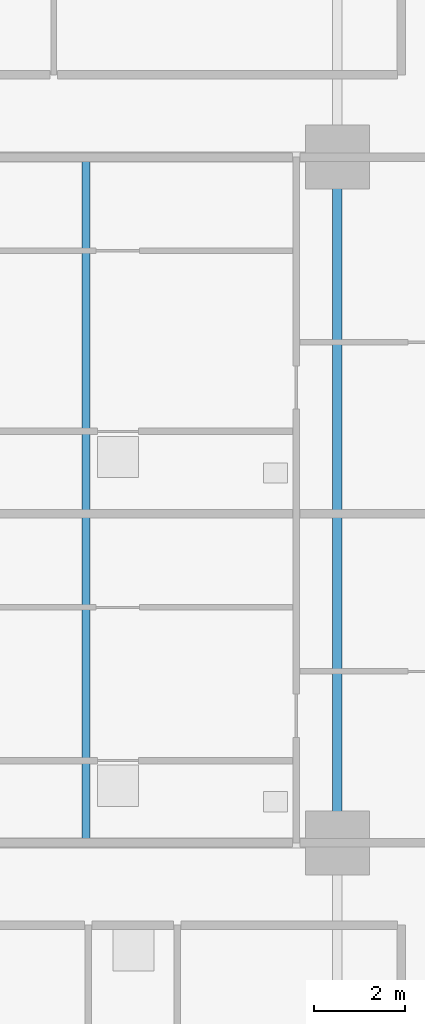
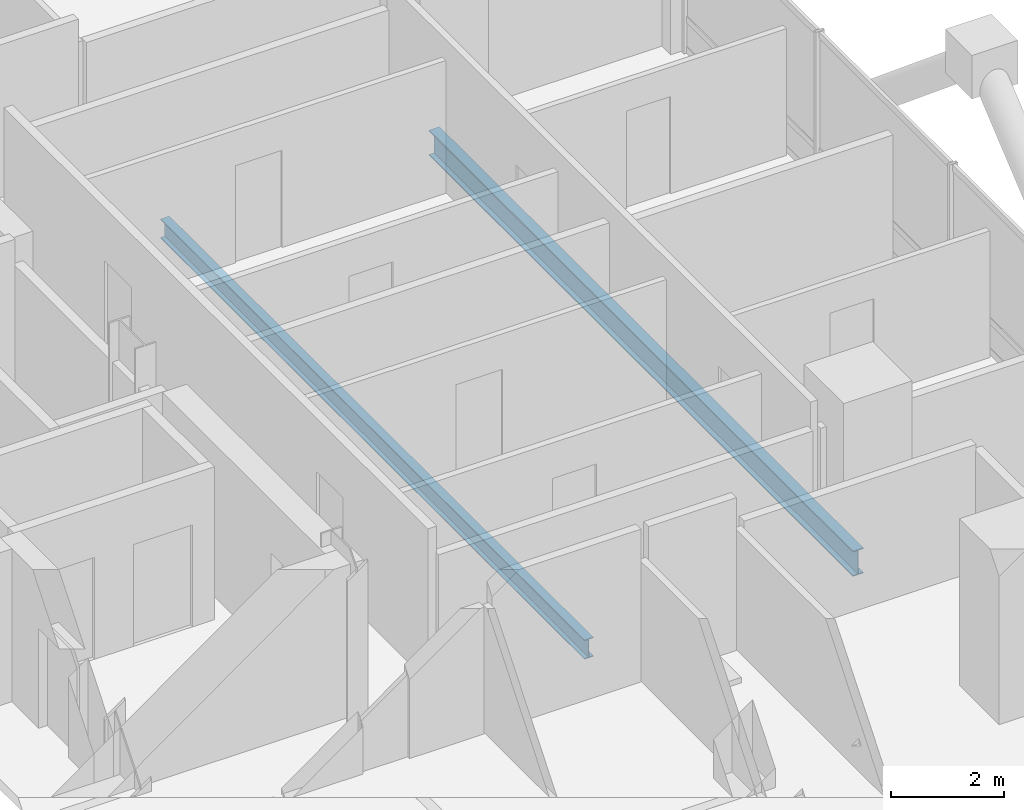
# One storey, part 9 of 24: 2 beams.
"""IFC4 building model written with IfcOpenShell, lengths in metres."""

from ifc_helpers import new_model, si_unit, direction, frame, origin, origin_2d, place, context, subcontext, project, spatial, i_section, extrude, material, material_profile, profile_set, type_object, element, save


model = new_model("IFC4")

# Units and contexts
model_context = context("Model", 3, precision=1e-05, world=origin(), true_north=direction((0.0, 1.0)))
body_context = subcontext(model_context, "Body", "Model", "MODEL_VIEW")
ifc_project = project(units=[si_unit("LENGTHUNIT", "METRE"), si_unit("AREAUNIT", "SQUARE_METRE"), si_unit("VOLUMEUNIT", "CUBIC_METRE"), si_unit("PLANEANGLEUNIT", "RADIAN"), si_unit("MASSUNIT", "GRAM", prefix="KILO")], contexts=[model_context])

# Site, building, storey
site_placement = place(None, origin())
site = spatial("IfcSite", under=ifc_project, at=site_placement, CompositionType="ELEMENT")
building_placement = place(site_placement, origin())
building = spatial("IfcBuilding", under=site, at=building_placement, Name="Barlavira Tower and Art Museum", CompositionType="ELEMENT")
storey_placement = place(building_placement, frame((0.0, 0.0, 90.0)))
storey = spatial("IfcBuildingStorey", under=building, at=storey_placement, Name="L22", CompositionType="ELEMENT", Elevation=90.0)

# Beams
ifc_material = material(Name="Steel S355", Category="steel")
ifc_material_profile_1 = material_profile(ifc_material, i_section(OverallWidth=0.180908203125, OverallDepth=0.4169921875, WebThickness=0.010986328125, FlangeThickness=0.018310546875, at=origin_2d()), Name="W410x85.0")
ifc_profile_set_1 = profile_set([ifc_material_profile_1], Name="Steel S355")
beam_type_1 = type_object("IfcBeamType", Name="Zone 1 Composite Floor Joist W410x85 Steel S355", PredefinedType="JOIST", material=ifc_profile_set_1)
beam_1_placement = place(storey_placement, frame((11.5, -7.5, -0.428466796875), z_axis=(0.0, 1.0, 0.0), x_axis=(-1.0, 0.0, 0.0)))
element("IfcBeam", 1, at=beam_1_placement, inside=storey, type_object=beam_type_1, Name="L22 Joist W2", PredefinedType="JOIST", context=body_context, shape_type="SweptSolid", body=[
    extrude(i_section(OverallWidth=0.180908203125, OverallDepth=0.4169921875, WebThickness=0.010986328125, FlangeThickness=0.018310546875, at=origin_2d()), origin(), (0.0, 0.0, 1.0), 15.0),
])
ifc_material_profile_2 = material_profile(ifc_material, i_section(OverallWidth=0.214111328125, OverallDepth=0.549072265625, WebThickness=0.0146484375, FlangeThickness=0.023681640625, at=origin_2d()), Name="W530x138.0")
ifc_profile_set_2 = profile_set([ifc_material_profile_2], Name="Steel S355")
beam_type_2 = type_object("IfcBeamType", Name="Zone 1 Primary Floor Girder W530x138 Steel S355", PredefinedType="BEAM", material=ifc_profile_set_2)
beam_2_placement = place(storey_placement, frame((17.0, -7.5, -0.494384765625), z_axis=(0.0, 1.0, 0.0), x_axis=(-1.0, 0.0, 0.0)))
element("IfcBeam", 2, at=beam_2_placement, inside=storey, type_object=beam_type_2, Name="L22 Girder M-E2", PredefinedType="BEAM", context=body_context, shape_type="SweptSolid", body=[
    extrude(i_section(OverallWidth=0.214111328125, OverallDepth=0.549072265625, WebThickness=0.0146484375, FlangeThickness=0.023681640625, at=origin_2d()), origin(), (0.0, 0.0, 1.0), 15.0),
])

save(model, "model.ifc")
